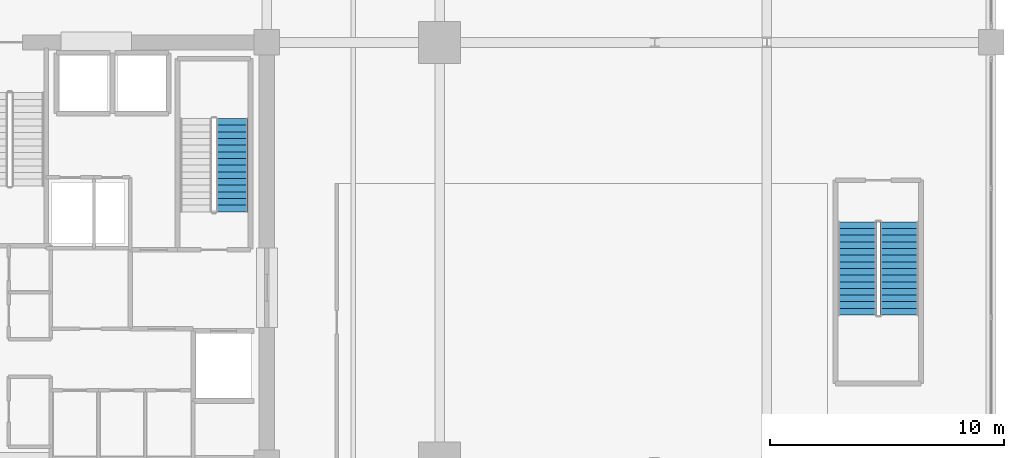
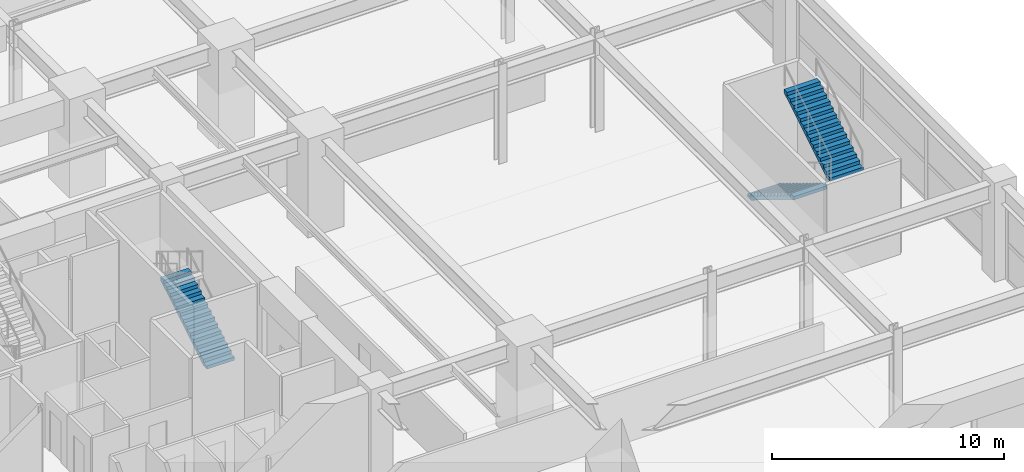
# One storey, part 38 of 43: 3 stair flights, 2 elements without a shape of their own.
"""IFC4 building model written with IfcOpenShell, lengths in metres."""

from ifc_helpers import new_model, si_unit, direction, frame, origin, place, context, subcontext, project, spatial, polyline, outline, extrude, material, type_object, element, aggregate, save


model = new_model("IFC4")

# Units and contexts
model_context = context("Model", 3, precision=1e-05, world=origin(), true_north=direction((0.0, 1.0)))
body_context = subcontext(model_context, "Body", "Model", "MODEL_VIEW")
ifc_project = project(units=[si_unit("LENGTHUNIT", "METRE"), si_unit("AREAUNIT", "SQUARE_METRE"), si_unit("VOLUMEUNIT", "CUBIC_METRE"), si_unit("PLANEANGLEUNIT", "RADIAN"), si_unit("MASSUNIT", "GRAM", prefix="KILO")], contexts=[model_context])

# Site, building, storey
site_placement = place(None, origin())
site = spatial("IfcSite", under=ifc_project, at=site_placement, CompositionType="ELEMENT")
building_placement = place(site_placement, origin())
building = spatial("IfcBuilding", under=site, at=building_placement, Name="Kovane Verandah Tower", CompositionType="ELEMENT")
storey_placement = place(building_placement, frame((0.0, 0.0, 11.199951171875)))
storey = spatial("IfcBuildingStorey", under=building, at=storey_placement, Name="L02", CompositionType="ELEMENT", Elevation=11.199951171875)

# Stair, stair flight
ifc_material = material(Name="Concrete C45/55", Category="concrete")
stair_type = type_object("IfcStairType", Name="ST-CORE-1380", PredefinedType="HALF_TURN_STAIR", material=ifc_material)
stair_1_placement = place(storey_placement, origin())
stair_1 = element("IfcStair", 1, at=stair_1_placement, inside=storey, type_object=stair_type, Name="L02 Exit Stair ST-02", PredefinedType="HALF_TURN_STAIR")
stair_flight_type = type_object("IfcStairFlightType", Name="STF-CORE-1380", PredefinedType="STRAIGHT", material=ifc_material)
stair_flight_1_placement = place(storey_placement, frame((49.510009765625, 29.25, 0.0), z_axis=(0.0, 0.0, 1.0), x_axis=(0.0, 1.0, 0.0)))
stair_flight_1 = element("IfcStairFlight", 2, at=stair_flight_1_placement, type_object=stair_flight_type, Name="ST-02 flight 1", NumberOfRisers=15, NumberOfTreads=14, PredefinedType="STRAIGHT", RiserHeight=0.173333333, TreadLength=0.285, context=body_context, shape_type="SweptSolid", body=[
    extrude(outline(polyline([(0.0, 0.0), (0.0, 0.17333984375), (0.284912109375, 0.17333984375), (0.284912109375, 0.3466796875), (0.570068359375, 0.3466796875), (0.570068359375, 0.52001953125), (0.85498046875, 0.52001953125), (0.85498046875, 0.693359375), (1.139892578125, 0.693359375), (1.139892578125, 0.86669921875), (1.425048828125, 0.86669921875), (1.425048828125, 1.0400390625), (1.7099609375, 1.0400390625), (1.7099609375, 1.21337890625), (1.9951171875, 1.21337890625), (1.9951171875, 1.38671875), (2.280029296875, 1.38671875), (2.280029296875, 1.56005859375), (2.56494140625, 1.56005859375), (2.56494140625, 1.7333984375), (2.85009765625, 1.7333984375), (2.85009765625, 1.90673828125), (3.135009765625, 1.90673828125), (3.135009765625, 2.080078125), (3.419921875, 2.080078125), (3.419921875, 2.25341796875), (3.705078125, 2.25341796875), (3.705078125, 2.4267578125), (3.989990234375, 2.4267578125), (3.989990234375, 2.60009765625), (3.989990234375, 2.251220703125), (0.28857421875, 0.0), (0.0, 0.0)])), frame((0.0, 0.68994140625, 0.0), z_axis=(0.0, -1.0, 0.0), x_axis=(1.0, 0.0, 0.0)), (0.0, 0.0, 1.0), 1.3798828125),
])
aggregate(stair_1, [stair_flight_1])

# Stair, stair flights
stair_2_placement = place(storey_placement, origin())
stair_2 = element("IfcStair", 3, at=stair_2_placement, inside=storey, type_object=stair_type, Name="L02 Exit Stair ST-05", PredefinedType="HALF_TURN_STAIR")
stair_flight_2_placement = place(storey_placement, frame((76.264892578125, 28.820068359375, 0.0), z_axis=(0.0, 0.0, 1.0), x_axis=(0.0, -1.0, 0.0)))
stair_flight_2 = element("IfcStairFlight", 4, at=stair_flight_2_placement, type_object=stair_flight_type, Name="ST-05 flight 1", NumberOfRisers=15, NumberOfTreads=14, PredefinedType="STRAIGHT", RiserHeight=0.173333333, TreadLength=0.285, context=body_context, shape_type="SweptSolid", body=[
    extrude(outline(polyline([(0.0, 0.0), (0.0, 0.17333984375), (0.284912109375, 0.17333984375), (0.284912109375, 0.3466796875), (0.570068359375, 0.3466796875), (0.570068359375, 0.52001953125), (0.85498046875, 0.52001953125), (0.85498046875, 0.693359375), (1.139892578125, 0.693359375), (1.139892578125, 0.86669921875), (1.425048828125, 0.86669921875), (1.425048828125, 1.0400390625), (1.7099609375, 1.0400390625), (1.7099609375, 1.21337890625), (1.9951171875, 1.21337890625), (1.9951171875, 1.38671875), (2.280029296875, 1.38671875), (2.280029296875, 1.56005859375), (2.56494140625, 1.56005859375), (2.56494140625, 1.7333984375), (2.85009765625, 1.7333984375), (2.85009765625, 1.90673828125), (3.135009765625, 1.90673828125), (3.135009765625, 2.080078125), (3.419921875, 2.080078125), (3.419921875, 2.25341796875), (3.705078125, 2.25341796875), (3.705078125, 2.4267578125), (3.989990234375, 2.4267578125), (3.989990234375, 2.60009765625), (3.989990234375, 2.251220703125), (0.28857421875, 0.0), (0.0, 0.0)])), frame((0.0, 0.824951171875, 0.0), z_axis=(0.0, -1.0, 0.0), x_axis=(1.0, 0.0, 0.0)), (0.0, 0.0, 1.0), 1.64990234375),
])
stair_flight_3_placement = place(storey_placement, frame((78.074951171875, 24.830078125, 2.60009765625), z_axis=(0.0, 0.0, 1.0), x_axis=(0.0, 1.0, 0.0)))
stair_flight_3 = element("IfcStairFlight", 5, at=stair_flight_3_placement, type_object=stair_flight_type, Name="ST-05 flight 2", NumberOfRisers=15, NumberOfTreads=14, PredefinedType="STRAIGHT", RiserHeight=0.173333333, TreadLength=0.285, context=body_context, shape_type="SweptSolid", body=[
    extrude(outline(polyline([(0.0, 0.0), (0.0, 0.17333984375), (0.284912109375, 0.17333984375), (0.284912109375, 0.3466796875), (0.570068359375, 0.3466796875), (0.570068359375, 0.52001953125), (0.85498046875, 0.52001953125), (0.85498046875, 0.693359375), (1.139892578125, 0.693359375), (1.139892578125, 0.86669921875), (1.425048828125, 0.86669921875), (1.425048828125, 1.0400390625), (1.7099609375, 1.0400390625), (1.7099609375, 1.21337890625), (1.9951171875, 1.21337890625), (1.9951171875, 1.38671875), (2.280029296875, 1.38671875), (2.280029296875, 1.56005859375), (2.56494140625, 1.56005859375), (2.56494140625, 1.7333984375), (2.85009765625, 1.7333984375), (2.85009765625, 1.90673828125), (3.135009765625, 1.90673828125), (3.135009765625, 2.080078125), (3.419921875, 2.080078125), (3.419921875, 2.25341796875), (3.705078125, 2.25341796875), (3.705078125, 2.4267578125), (3.989990234375, 2.4267578125), (3.989990234375, 2.60009765625), (3.989990234375, 2.251220703125), (0.28857421875, 0.0), (0.0, 0.0)])), frame((0.0, 0.824951171875, 0.0), z_axis=(0.0, -1.0, 0.0), x_axis=(1.0, 0.0, 0.0)), (0.0, 0.0, 1.0), 1.64990234375),
])
aggregate(stair_2, [stair_flight_2, stair_flight_3])

save(model, "model.ifc")
